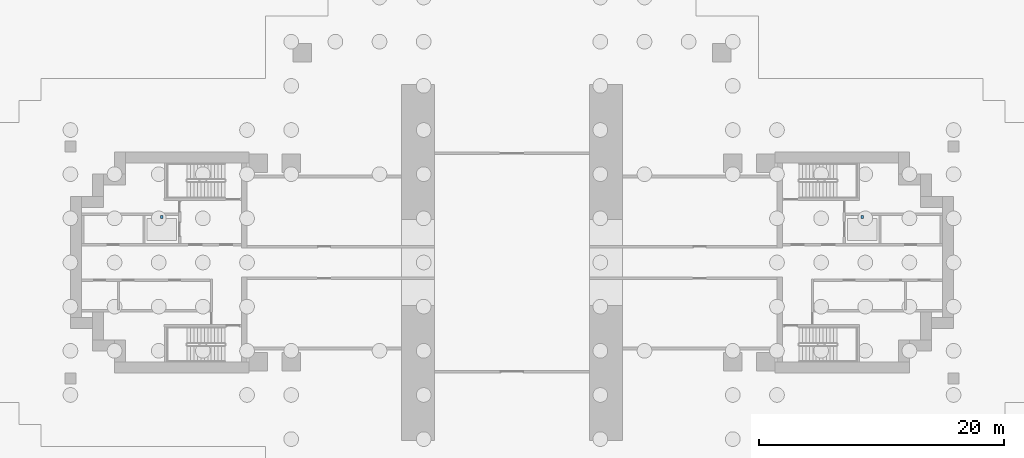
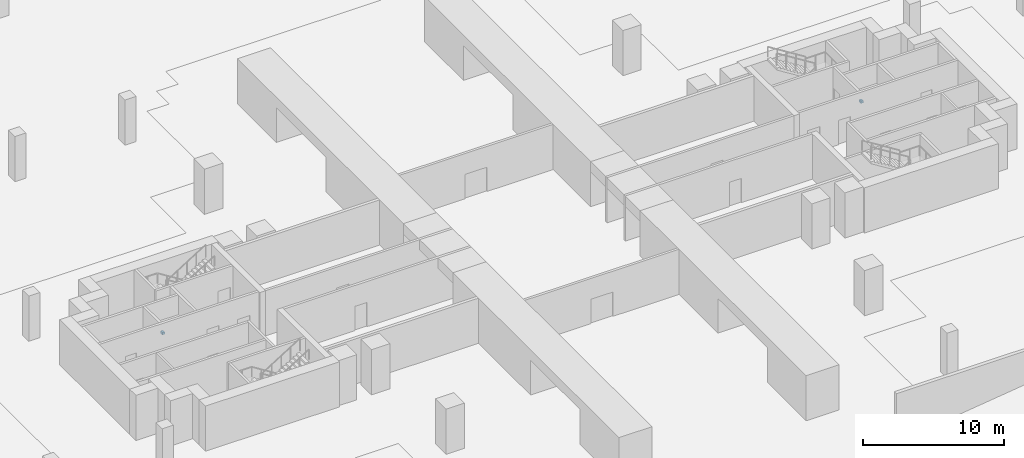
# One storey, part 8 of 11: 2 discrete accessories.
"""IFC4 building model written with IfcOpenShell, lengths in metres."""

from ifc_helpers import new_model, si_unit, direction, frame, origin, origin_2d, place, context, subcontext, project, spatial, rectangle, extrude, material, type_object, element, save


model = new_model("IFC4")

# Units and contexts
model_context = context("Model", 3, precision=1e-05, world=origin(), true_north=direction((0.0, 1.0)))
body_context = subcontext(model_context, "Body", "Model", "MODEL_VIEW")
ifc_project = project(units=[si_unit("LENGTHUNIT", "METRE"), si_unit("AREAUNIT", "SQUARE_METRE"), si_unit("VOLUMEUNIT", "CUBIC_METRE"), si_unit("PLANEANGLEUNIT", "RADIAN"), si_unit("MASSUNIT", "GRAM", prefix="KILO")], contexts=[model_context])

# Site, building, storey
site_placement = place(None, origin())
site = spatial("IfcSite", under=ifc_project, at=site_placement, CompositionType="ELEMENT")
building_placement = place(site_placement, origin())
building = spatial("IfcBuilding", under=site, at=building_placement, Name="Perihelion Cross Residences", CompositionType="ELEMENT")
storey_placement = place(building_placement, frame((0.0, 0.0, -17.10009765625)))
storey = spatial("IfcBuildingStorey", under=building, at=storey_placement, Name="B4", CompositionType="ELEMENT", Elevation=-17.10009765625)

# Discrete accessories
ifc_material = material(Name="Steel, powder coated", Category="steel")
discrete_accessory_type = type_object("IfcDiscreteAccessoryType", Name="Lift guide bracket", PredefinedType="BRACKET", material=ifc_material)
for number, where, z_axis, x_axis, name in (
    (1, (28.550048828125, 3.72509765625, 1.10009765625), (0.0, 0.0, 1.0), (1.0, 0.0, 0.0), "East core ff guide bracket"),
    (2, (-28.550048828125, 3.72509765625, 1.10009765625), (0.0, 0.0, 1.0), (1.0, 0.0, 0.0), "West core ff guide bracket"),
):
    element("IfcDiscreteAccessory", number, at=place(storey_placement, frame(where, z_axis=z_axis, x_axis=x_axis)), inside=storey, type_object=discrete_accessory_type, Name=name, PredefinedType="BRACKET", context=body_context, shape_type="SweptSolid", body=[
        extrude(rectangle(XDim=0.199951171875, YDim=0.25, at=origin_2d()), origin(), (0.0, 0.0, 1.0), 0.199951171875),
    ])

save(model, "model.ifc")
